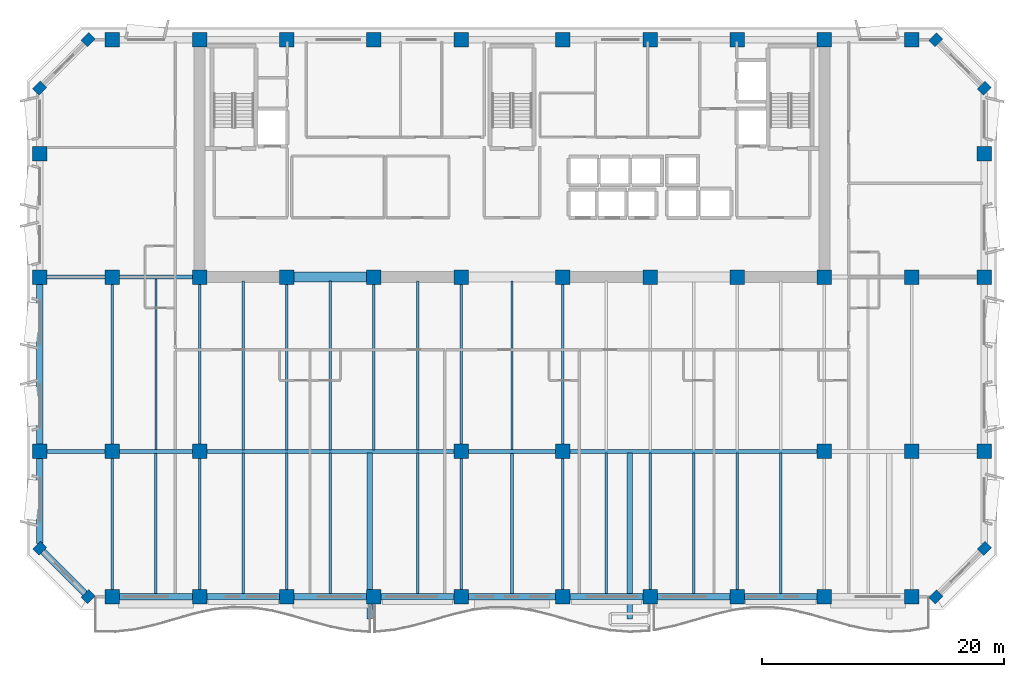
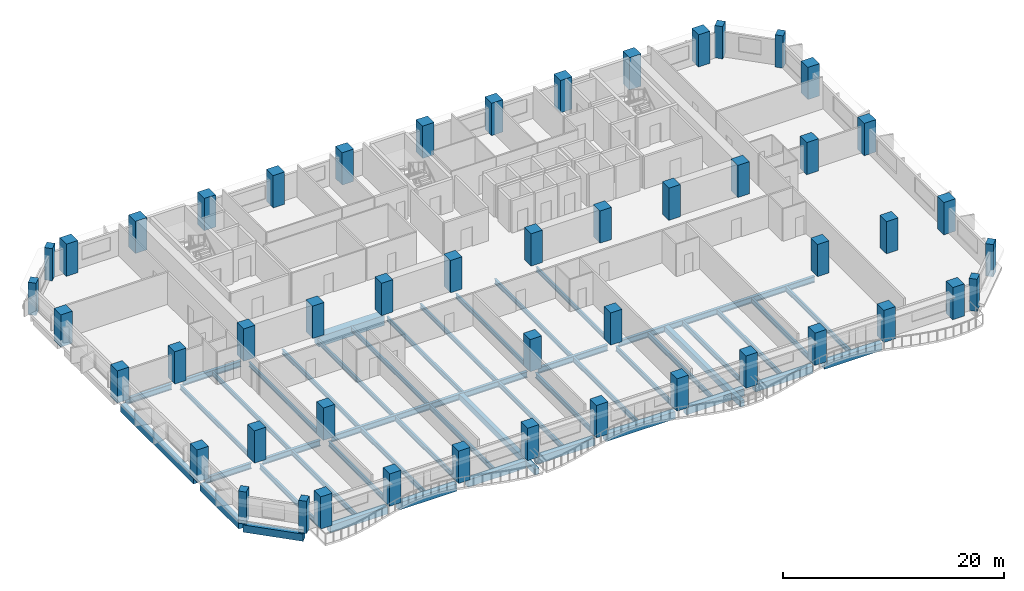
# One storey, part 1 of 14: 50 columns, 47 beams.
"""IFC4 building model written with IfcOpenShell, lengths in metres."""

from ifc_helpers import new_model, si_unit, direction, frame, origin, origin_2d, place, context, subcontext, project, spatial, rectangle, i_section, extrude, material, material_profile, profile_set, type_object, element, save


model = new_model("IFC4")

# Units and contexts
model_context = context("Model", 3, precision=1e-05, world=origin(), true_north=direction((0.0, 1.0)))
body_context = subcontext(model_context, "Body", "Model", "MODEL_VIEW")
ifc_project = project(units=[si_unit("LENGTHUNIT", "METRE"), si_unit("AREAUNIT", "SQUARE_METRE"), si_unit("VOLUMEUNIT", "CUBIC_METRE"), si_unit("PLANEANGLEUNIT", "RADIAN"), si_unit("MASSUNIT", "GRAM", prefix="KILO")], contexts=[model_context])

# Site, building, storey
site_placement = place(None, origin())
site = spatial("IfcSite", under=ifc_project, at=site_placement, CompositionType="ELEMENT")
building_placement = place(site_placement, origin())
building = spatial("IfcBuilding", under=site, at=building_placement, Name="Kaelvorn Grand Hotel", CompositionType="ELEMENT")
storey_placement = place(building_placement, frame((0.0, 0.0, 201.550048828125)))
storey = spatial("IfcBuildingStorey", under=building, at=storey_placement, Name="L49", CompositionType="ELEMENT", Elevation=201.550048828125)

# Columns
ifc_material_1 = material(Name="Concrete C60/75", Category="concrete")
ifc_material_profile_1 = material_profile(ifc_material_1, rectangle(XDim=0.89990234375, YDim=0.75, at=origin_2d()), Name="RC PILASTER 900x750")
ifc_profile_set_1 = profile_set([ifc_material_profile_1], Name="Concrete C60/75")
column_type_1 = type_object("IfcColumnType", Name="COL-PIL-900x750-C60", PredefinedType="PILASTER", material=ifc_profile_set_1)
for number, where, z_axis, x_axis, name in (
    (1, (7.0, 3.0, 0.0), (0.0, 0.0, 1.0), (0.707106781187, 0.707106781187, 0.0), "L49 Structural Column CH-01"),
    (2, (77.0, 3.0, 0.0), (0.0, 0.0, 1.0), (0.707106781187, 0.707106781187, 0.0), "L49 Structural Column CH-02"),
    (3, (81.0, 7.0, 0.0), (0.0, 0.0, 1.0), (0.707106781187, 0.707106781187, 0.0), "L49 Structural Column CH-03"),
    (4, (81.0, 45.0, 0.0), (0.0, 0.0, 1.0), (0.707106781187, 0.707106781187, 0.0), "L49 Structural Column CH-04"),
    (5, (77.0, 49.0, 0.0), (0.0, 0.0, 1.0), (0.707106781187, 0.707106781187, 0.0), "L49 Structural Column CH-05"),
    (6, (7.0, 49.0, 0.0), (0.0, 0.0, 1.0), (0.707106781187, 0.707106781187, 0.0), "L49 Structural Column CH-06"),
    (7, (3.0, 45.0, 0.0), (0.0, 0.0, 1.0), (0.707106781187, 0.707106781187, 0.0), "L49 Structural Column CH-07"),
    (8, (3.0, 7.0, 0.0), (0.0, 0.0, 1.0), (0.707106781187, 0.707106781187, 0.0), "L49 Structural Column CH-08"),
):
    element("IfcColumn", number, at=place(storey_placement, frame(where, z_axis=z_axis, x_axis=x_axis)), inside=storey, type_object=column_type_1, Name=name, PredefinedType="PILASTER", context=body_context, shape_type="SweptSolid", body=[
        extrude(rectangle(XDim=0.89990234375, YDim=0.75, at=origin_2d()), origin(), (0.0, 0.0, 1.0), 3.56005859375),
    ])
ifc_material_profile_2 = material_profile(ifc_material_1, rectangle(XDim=1.199951171875, YDim=1.199951171875, at=origin_2d()), Name="RC COL 1200x1200")
ifc_profile_set_2 = profile_set([ifc_material_profile_2], Name="Concrete C60/75")
column_type_2 = type_object("IfcColumnType", Name="COL-RC-1200-C60", PredefinedType="COLUMN", material=ifc_profile_set_2)
for number, where, z_axis, x_axis, name in (
    (9, (9.0, 3.0, 0.0), (0.0, 0.0, 1.0), (1.0, 0.0, 0.0), "L49 Structural Column S-01"),
    (10, (16.199951171875, 3.0, 0.0), (0.0, 0.0, 1.0), (1.0, 0.0, 0.0), "L49 Structural Column S-02"),
    (11, (23.39990234375, 3.0, 0.0), (0.0, 0.0, 1.0), (1.0, 0.0, 0.0), "L49 Structural Column S-03"),
    (12, (30.60009765625, 3.0, 0.0), (0.0, 0.0, 1.0), (1.0, 0.0, 0.0), "L49 Structural Column S-04"),
    (13, (37.800048828125, 3.0, 0.0), (0.0, 0.0, 1.0), (1.0, 0.0, 0.0), "L49 Structural Column S-05"),
    (14, (46.199951171875, 3.0, 0.0), (0.0, 0.0, 1.0), (1.0, 0.0, 0.0), "L49 Structural Column S-06"),
    (15, (53.39990234375, 3.0, 0.0), (0.0, 0.0, 1.0), (1.0, 0.0, 0.0), "L49 Structural Column S-07"),
    (16, (60.60009765625, 3.0, 0.0), (0.0, 0.0, 1.0), (1.0, 0.0, 0.0), "L49 Structural Column S-08"),
    (17, (67.800048828125, 3.0, 0.0), (0.0, 0.0, 1.0), (1.0, 0.0, 0.0), "L49 Structural Column S-09"),
    (18, (75.0, 3.0, 0.0), (0.0, 0.0, 1.0), (1.0, 0.0, 0.0), "L49 Structural Column S-10"),
    (19, (3.0, 15.0, 0.0), (0.0, 0.0, 1.0), (1.0, 0.0, 0.0), "L49 Structural Column W-01"),
    (20, (81.0, 15.0, 0.0), (0.0, 0.0, 1.0), (1.0, 0.0, 0.0), "L49 Structural Column E-01"),
    (21, (3.0, 29.39990234375, 0.0), (0.0, 0.0, 1.0), (1.0, 0.0, 0.0), "L49 Structural Column W-02"),
    (22, (81.0, 29.39990234375, 0.0), (0.0, 0.0, 1.0), (1.0, 0.0, 0.0), "L49 Structural Column E-02"),
    (23, (3.0, 39.60009765625, 0.0), (0.0, 0.0, 1.0), (1.0, 0.0, 0.0), "L49 Structural Column W-03"),
    (24, (81.0, 39.60009765625, 0.0), (0.0, 0.0, 1.0), (1.0, 0.0, 0.0), "L49 Structural Column E-03"),
    (25, (9.0, 15.0, 0.0), (0.0, 0.0, 1.0), (1.0, 0.0, 0.0), "L49 Structural Column M-01"),
    (26, (16.199951171875, 15.0, 0.0), (0.0, 0.0, 1.0), (1.0, 0.0, 0.0), "L49 Structural Column M-02"),
    (27, (37.800048828125, 15.0, 0.0), (0.0, 0.0, 1.0), (1.0, 0.0, 0.0), "L49 Structural Column M-03"),
    (28, (46.199951171875, 15.0, 0.0), (0.0, 0.0, 1.0), (1.0, 0.0, 0.0), "L49 Structural Column M-04"),
    (29, (67.800048828125, 15.0, 0.0), (0.0, 0.0, 1.0), (1.0, 0.0, 0.0), "L49 Structural Column M-05"),
    (30, (75.0, 15.0, 0.0), (0.0, 0.0, 1.0), (1.0, 0.0, 0.0), "L49 Structural Column M-06"),
    (31, (9.0, 29.39990234375, 0.0), (0.0, 0.0, 1.0), (1.0, 0.0, 0.0), "L49 Structural Column CR1-01"),
    (32, (9.0, 49.0, 0.0), (0.0, 0.0, 1.0), (1.0, 0.0, 0.0), "L49 Structural Column CR2-01"),
    (33, (16.199951171875, 29.39990234375, 0.0), (0.0, 0.0, 1.0), (1.0, 0.0, 0.0), "L49 Structural Column CR1-02"),
    (34, (16.199951171875, 49.0, 0.0), (0.0, 0.0, 1.0), (1.0, 0.0, 0.0), "L49 Structural Column CR2-02"),
    (35, (23.39990234375, 29.39990234375, 0.0), (0.0, 0.0, 1.0), (1.0, 0.0, 0.0), "L49 Structural Column CR1-03"),
    (36, (23.39990234375, 49.0, 0.0), (0.0, 0.0, 1.0), (1.0, 0.0, 0.0), "L49 Structural Column CR2-03"),
    (37, (30.60009765625, 29.39990234375, 0.0), (0.0, 0.0, 1.0), (1.0, 0.0, 0.0), "L49 Structural Column CR1-04"),
    (38, (30.60009765625, 49.0, 0.0), (0.0, 0.0, 1.0), (1.0, 0.0, 0.0), "L49 Structural Column CR2-04"),
    (39, (37.800048828125, 29.39990234375, 0.0), (0.0, 0.0, 1.0), (1.0, 0.0, 0.0), "L49 Structural Column CR1-05"),
    (40, (37.800048828125, 49.0, 0.0), (0.0, 0.0, 1.0), (1.0, 0.0, 0.0), "L49 Structural Column CR2-05"),
    (41, (46.199951171875, 29.39990234375, 0.0), (0.0, 0.0, 1.0), (1.0, 0.0, 0.0), "L49 Structural Column CR1-06"),
    (42, (46.199951171875, 49.0, 0.0), (0.0, 0.0, 1.0), (1.0, 0.0, 0.0), "L49 Structural Column CR2-06"),
    (43, (53.39990234375, 29.39990234375, 0.0), (0.0, 0.0, 1.0), (1.0, 0.0, 0.0), "L49 Structural Column CR1-07"),
    (44, (53.39990234375, 49.0, 0.0), (0.0, 0.0, 1.0), (1.0, 0.0, 0.0), "L49 Structural Column CR2-07"),
    (45, (60.60009765625, 29.39990234375, 0.0), (0.0, 0.0, 1.0), (1.0, 0.0, 0.0), "L49 Structural Column CR1-08"),
    (46, (60.60009765625, 49.0, 0.0), (0.0, 0.0, 1.0), (1.0, 0.0, 0.0), "L49 Structural Column CR2-08"),
    (47, (67.800048828125, 29.39990234375, 0.0), (0.0, 0.0, 1.0), (1.0, 0.0, 0.0), "L49 Structural Column CR1-09"),
    (48, (67.800048828125, 49.0, 0.0), (0.0, 0.0, 1.0), (1.0, 0.0, 0.0), "L49 Structural Column CR2-09"),
    (49, (75.0, 29.39990234375, 0.0), (0.0, 0.0, 1.0), (1.0, 0.0, 0.0), "L49 Structural Column CR1-10"),
    (50, (75.0, 49.0, 0.0), (0.0, 0.0, 1.0), (1.0, 0.0, 0.0), "L49 Structural Column CR2-10"),
):
    element("IfcColumn", number, at=place(storey_placement, frame(where, z_axis=z_axis, x_axis=x_axis)), inside=storey, type_object=column_type_2, Name=name, PredefinedType="COLUMN", context=body_context, shape_type="SweptSolid", body=[
        extrude(rectangle(XDim=1.199951171875, YDim=1.199951171875, at=origin_2d()), origin(), (0.0, 0.0, 1.0), 3.56005859375),
    ])

# Beams
ifc_material_2 = material(Name="Steel S355", Category="steel")
ifc_material_profile_3 = material_profile(ifc_material_2, i_section(OverallWidth=0.300048828125, OverallDepth=0.64990234375, WebThickness=0.01611328125, FlangeThickness=0.031005859375, FilletRadius=0.027099609375, at=origin_2d()), Name="HEB 650")
ifc_profile_set_3 = profile_set([ifc_material_profile_3], Name="Steel S355")
beam_type_1 = type_object("IfcBeamType", Name="BM-G-HEB650-S355", PredefinedType="BEAM", material=ifc_profile_set_3)
beam_1_placement = place(storey_placement, frame((3.5849609375, 15.0, -0.56494140625), z_axis=(1.0, 0.0, 0.0), x_axis=(0.0, 1.0, 0.0)))
element("IfcBeam", 51, at=beam_1_placement, inside=storey, type_object=beam_type_1, Name="L49 Primary Spine Steel Girder G-15 01", PredefinedType="BEAM", context=body_context, shape_type="SweptSolid", body=[
    extrude(i_section(OverallWidth=0.300048828125, OverallDepth=0.64990234375, WebThickness=0.01611328125, FlangeThickness=0.031005859375, FilletRadius=0.027099609375, at=origin_2d()), origin(), (0.0, 0.0, 1.0), 4.830078125),
])
beam_2_placement = place(storey_placement, frame((9.5849609375, 15.0, -0.56494140625), z_axis=(1.0, 0.0, 0.0), x_axis=(0.0, 1.0, 0.0)))
element("IfcBeam", 52, at=beam_2_placement, inside=storey, type_object=beam_type_1, Name="L49 Primary Spine Steel Girder G-15 02", PredefinedType="BEAM", context=body_context, shape_type="SweptSolid", body=[
    extrude(i_section(OverallWidth=0.300048828125, OverallDepth=0.64990234375, WebThickness=0.01611328125, FlangeThickness=0.031005859375, FilletRadius=0.027099609375, at=origin_2d()), origin(), (0.0, 0.0, 1.0), 6.030029296875),
])
beam_3_placement = place(storey_placement, frame((16.784912109375, 15.0, -0.56494140625), z_axis=(1.0, 0.0, 0.0), x_axis=(0.0, 1.0, 0.0)))
element("IfcBeam", 53, at=beam_3_placement, inside=storey, type_object=beam_type_1, Name="L49 Primary Spine Steel Girder G-15 03", PredefinedType="BEAM", context=body_context, shape_type="SweptSolid", body=[
    extrude(i_section(OverallWidth=0.300048828125, OverallDepth=0.64990234375, WebThickness=0.01611328125, FlangeThickness=0.031005859375, FilletRadius=0.027099609375, at=origin_2d()), origin(), (0.0, 0.0, 1.0), 20.43017578125),
])
beam_4_placement = place(storey_placement, frame((38.385009765625, 15.0, -0.56494140625), z_axis=(1.0, 0.0, 0.0), x_axis=(0.0, 1.0, 0.0)))
element("IfcBeam", 54, at=beam_4_placement, inside=storey, type_object=beam_type_1, Name="L49 Primary Spine Steel Girder G-15 04", PredefinedType="BEAM", context=body_context, shape_type="SweptSolid", body=[
    extrude(i_section(OverallWidth=0.300048828125, OverallDepth=0.64990234375, WebThickness=0.01611328125, FlangeThickness=0.031005859375, FilletRadius=0.027099609375, at=origin_2d()), origin(), (0.0, 0.0, 1.0), 7.22998046875),
])
beam_5_placement = place(storey_placement, frame((46.784912109375, 15.0, -0.56494140625), z_axis=(1.0, 0.0, 0.0), x_axis=(0.0, 1.0, 0.0)))
element("IfcBeam", 55, at=beam_5_placement, inside=storey, type_object=beam_type_1, Name="L49 Primary Spine Steel Girder G-15 05", PredefinedType="BEAM", context=body_context, shape_type="SweptSolid", body=[
    extrude(i_section(OverallWidth=0.300048828125, OverallDepth=0.64990234375, WebThickness=0.01611328125, FlangeThickness=0.031005859375, FilletRadius=0.027099609375, at=origin_2d()), origin(), (0.0, 0.0, 1.0), 20.43017578125),
])
beam_6_placement = place(storey_placement, frame((3.5849609375, 29.39990234375, -0.56494140625), z_axis=(1.0, 0.0, 0.0), x_axis=(0.0, 1.0, 0.0)))
element("IfcBeam", 56, at=beam_6_placement, inside=storey, type_object=beam_type_1, Name="L49 West Core Wing Steel Girder G-29W 01", PredefinedType="BEAM", context=body_context, shape_type="SweptSolid", body=[
    extrude(i_section(OverallWidth=0.300048828125, OverallDepth=0.64990234375, WebThickness=0.01611328125, FlangeThickness=0.031005859375, FilletRadius=0.027099609375, at=origin_2d()), origin(), (0.0, 0.0, 1.0), 4.830078125),
])
beam_7_placement = place(storey_placement, frame((9.5849609375, 29.39990234375, -0.56494140625), z_axis=(1.0, 0.0, 0.0), x_axis=(0.0, 1.0, 0.0)))
element("IfcBeam", 57, at=beam_7_placement, inside=storey, type_object=beam_type_1, Name="L49 West Core Wing Steel Girder G-29W 02", PredefinedType="BEAM", context=body_context, shape_type="SweptSolid", body=[
    extrude(i_section(OverallWidth=0.300048828125, OverallDepth=0.64990234375, WebThickness=0.01611328125, FlangeThickness=0.031005859375, FilletRadius=0.027099609375, at=origin_2d()), origin(), (0.0, 0.0, 1.0), 6.030029296875),
])
ifc_material_profile_4 = material_profile(ifc_material_2, i_section(OverallWidth=0.199951171875, OverallDepth=0.5, WebThickness=0.01025390625, FlangeThickness=0.01611328125, FilletRadius=0.02099609375, at=origin_2d()), Name="IPE 500")
ifc_profile_set_4 = profile_set([ifc_material_profile_4], Name="Steel S355")
beam_type_2 = type_object("IfcBeamType", Name="BM-J-IPE500-S355", PredefinedType="JOIST", material=ifc_profile_set_4)
beam_8_placement = place(storey_placement, frame((9.0, 15.5849609375, -0.489990234375), z_axis=(0.0, 1.0, 0.0), x_axis=(-1.0, 0.0, 0.0)))
element("IfcBeam", 58, at=beam_8_placement, inside=storey, type_object=beam_type_2, Name="L49 Composite Floor Joist JM-03", PredefinedType="JOIST", context=body_context, shape_type="SweptSolid", body=[
    extrude(i_section(OverallWidth=0.199951171875, OverallDepth=0.5, WebThickness=0.01025390625, FlangeThickness=0.01611328125, FilletRadius=0.02099609375, at=origin_2d()), origin(), (0.0, 0.0, 1.0), 13.22998046875),
])
beam_9_placement = place(storey_placement, frame((12.60009765625, 15.135009765625, -0.489990234375), z_axis=(0.0, 1.0, 0.0), x_axis=(-1.0, 0.0, 0.0)))
element("IfcBeam", 59, at=beam_9_placement, inside=storey, type_object=beam_type_2, Name="L49 Composite Floor Joist JM-04", PredefinedType="JOIST", context=body_context, shape_type="SweptSolid", body=[
    extrude(i_section(OverallWidth=0.199951171875, OverallDepth=0.5, WebThickness=0.01025390625, FlangeThickness=0.01611328125, FilletRadius=0.02099609375, at=origin_2d()), origin(), (0.0, 0.0, 1.0), 14.1298828125),
])
beam_10_placement = place(storey_placement, frame((16.199951171875, 15.5849609375, -0.489990234375), z_axis=(0.0, 1.0, 0.0), x_axis=(-1.0, 0.0, 0.0)))
element("IfcBeam", 60, at=beam_10_placement, inside=storey, type_object=beam_type_2, Name="L49 Composite Floor Joist JM-05", PredefinedType="JOIST", context=body_context, shape_type="SweptSolid", body=[
    extrude(i_section(OverallWidth=0.199951171875, OverallDepth=0.5, WebThickness=0.01025390625, FlangeThickness=0.01611328125, FilletRadius=0.02099609375, at=origin_2d()), origin(), (0.0, 0.0, 1.0), 13.22998046875),
])
beam_11_placement = place(storey_placement, frame((19.800048828125, 15.135009765625, -0.489990234375), z_axis=(0.0, 1.0, 0.0), x_axis=(-1.0, 0.0, 0.0)))
element("IfcBeam", 61, at=beam_11_placement, inside=storey, type_object=beam_type_2, Name="L49 Composite Floor Joist JM-06", PredefinedType="JOIST", context=body_context, shape_type="SweptSolid", body=[
    extrude(i_section(OverallWidth=0.199951171875, OverallDepth=0.5, WebThickness=0.01025390625, FlangeThickness=0.01611328125, FilletRadius=0.02099609375, at=origin_2d()), origin(), (0.0, 0.0, 1.0), 13.925048828125),
])
beam_12_placement = place(storey_placement, frame((23.39990234375, 15.135009765625, -0.489990234375), z_axis=(0.0, 1.0, 0.0), x_axis=(-1.0, 0.0, 0.0)))
element("IfcBeam", 62, at=beam_12_placement, inside=storey, type_object=beam_type_2, Name="L49 Composite Floor Joist JM-07", PredefinedType="JOIST", context=body_context, shape_type="SweptSolid", body=[
    extrude(i_section(OverallWidth=0.199951171875, OverallDepth=0.5, WebThickness=0.01025390625, FlangeThickness=0.01611328125, FilletRadius=0.02099609375, at=origin_2d()), origin(), (0.0, 0.0, 1.0), 13.679931640625),
])
beam_13_placement = place(storey_placement, frame((27.0, 15.135009765625, -0.489990234375), z_axis=(0.0, 1.0, 0.0), x_axis=(-1.0, 0.0, 0.0)))
element("IfcBeam", 63, at=beam_13_placement, inside=storey, type_object=beam_type_2, Name="L49 Composite Floor Joist JM-08", PredefinedType="JOIST", context=body_context, shape_type="SweptSolid", body=[
    extrude(i_section(OverallWidth=0.199951171875, OverallDepth=0.5, WebThickness=0.01025390625, FlangeThickness=0.01611328125, FilletRadius=0.02099609375, at=origin_2d()), origin(), (0.0, 0.0, 1.0), 13.925048828125),
])
beam_14_placement = place(storey_placement, frame((30.60009765625, 15.135009765625, -0.489990234375), z_axis=(0.0, 1.0, 0.0), x_axis=(-1.0, 0.0, 0.0)))
element("IfcBeam", 64, at=beam_14_placement, inside=storey, type_object=beam_type_2, Name="L49 Composite Floor Joist JM-09", PredefinedType="JOIST", context=body_context, shape_type="SweptSolid", body=[
    extrude(i_section(OverallWidth=0.199951171875, OverallDepth=0.5, WebThickness=0.01025390625, FlangeThickness=0.01611328125, FilletRadius=0.02099609375, at=origin_2d()), origin(), (0.0, 0.0, 1.0), 13.679931640625),
])
beam_15_placement = place(storey_placement, frame((34.199951171875, 15.135009765625, -0.489990234375), z_axis=(0.0, 1.0, 0.0), x_axis=(-1.0, 0.0, 0.0)))
element("IfcBeam", 65, at=beam_15_placement, inside=storey, type_object=beam_type_2, Name="L49 Composite Floor Joist JM-10", PredefinedType="JOIST", context=body_context, shape_type="SweptSolid", body=[
    extrude(i_section(OverallWidth=0.199951171875, OverallDepth=0.5, WebThickness=0.01025390625, FlangeThickness=0.01611328125, FilletRadius=0.02099609375, at=origin_2d()), origin(), (0.0, 0.0, 1.0), 13.925048828125),
])
beam_16_placement = place(storey_placement, frame((37.800048828125, 15.5849609375, -0.489990234375), z_axis=(0.0, 1.0, 0.0), x_axis=(-1.0, 0.0, 0.0)))
element("IfcBeam", 66, at=beam_16_placement, inside=storey, type_object=beam_type_2, Name="L49 Composite Floor Joist JM-11", PredefinedType="JOIST", context=body_context, shape_type="SweptSolid", body=[
    extrude(i_section(OverallWidth=0.199951171875, OverallDepth=0.5, WebThickness=0.01025390625, FlangeThickness=0.01611328125, FilletRadius=0.02099609375, at=origin_2d()), origin(), (0.0, 0.0, 1.0), 13.22998046875),
])
beam_17_placement = place(storey_placement, frame((42.0, 15.135009765625, -0.489990234375), z_axis=(0.0, 1.0, 0.0), x_axis=(-1.0, 0.0, 0.0)))
element("IfcBeam", 67, at=beam_17_placement, inside=storey, type_object=beam_type_2, Name="L49 Composite Floor Joist JM-12", PredefinedType="JOIST", context=body_context, shape_type="SweptSolid", body=[
    extrude(i_section(OverallWidth=0.199951171875, OverallDepth=0.5, WebThickness=0.01025390625, FlangeThickness=0.01611328125, FilletRadius=0.02099609375, at=origin_2d()), origin(), (0.0, 0.0, 1.0), 13.925048828125),
])
beam_18_placement = place(storey_placement, frame((46.199951171875, 15.5849609375, -0.489990234375), z_axis=(0.0, 1.0, 0.0), x_axis=(-1.0, 0.0, 0.0)))
element("IfcBeam", 68, at=beam_18_placement, inside=storey, type_object=beam_type_2, Name="L49 Composite Floor Joist JM-13", PredefinedType="JOIST", context=body_context, shape_type="SweptSolid", body=[
    extrude(i_section(OverallWidth=0.199951171875, OverallDepth=0.5, WebThickness=0.01025390625, FlangeThickness=0.01611328125, FilletRadius=0.02099609375, at=origin_2d()), origin(), (0.0, 0.0, 1.0), 13.22998046875),
])
ifc_material_profile_5 = material_profile(ifc_material_2, i_section(OverallWidth=0.2099609375, OverallDepth=0.550048828125, WebThickness=0.010986328125, FlangeThickness=0.01708984375, FilletRadius=0.02392578125, at=origin_2d()), Name="IPE 550")
ifc_profile_set_5 = profile_set([ifc_material_profile_5], Name="Steel S355")
beam_type_3 = type_object("IfcBeamType", Name="BM-J-IPE550-S355", PredefinedType="JOIST", material=ifc_profile_set_5)
beam_19_placement = place(storey_placement, frame((9.0, 3.5849609375, -0.51513671875), z_axis=(0.0, 1.0, 0.0), x_axis=(-1.0, 0.0, 0.0)))
element("IfcBeam", 69, at=beam_19_placement, inside=storey, type_object=beam_type_3, Name="L49 Composite Floor Joist JS-03", PredefinedType="JOIST", context=body_context, shape_type="SweptSolid", body=[
    extrude(i_section(OverallWidth=0.2099609375, OverallDepth=0.550048828125, WebThickness=0.010986328125, FlangeThickness=0.01708984375, FilletRadius=0.02392578125, at=origin_2d()), origin(), (0.0, 0.0, 1.0), 10.830078125),
])
beam_20_placement = place(storey_placement, frame((12.60009765625, 3.260009765625, -0.51513671875), z_axis=(0.0, 1.0, 0.0), x_axis=(-1.0, 0.0, 0.0)))
element("IfcBeam", 70, at=beam_20_placement, inside=storey, type_object=beam_type_3, Name="L49 Composite Floor Joist JS-04", PredefinedType="JOIST", context=body_context, shape_type="SweptSolid", body=[
    extrude(i_section(OverallWidth=0.2099609375, OverallDepth=0.550048828125, WebThickness=0.010986328125, FlangeThickness=0.01708984375, FilletRadius=0.02392578125, at=origin_2d()), origin(), (0.0, 0.0, 1.0), 11.60498046875),
])
beam_21_placement = place(storey_placement, frame((16.199951171875, 3.5849609375, -0.51513671875), z_axis=(0.0, 1.0, 0.0), x_axis=(-1.0, 0.0, 0.0)))
element("IfcBeam", 71, at=beam_21_placement, inside=storey, type_object=beam_type_3, Name="L49 Composite Floor Joist JS-05", PredefinedType="JOIST", context=body_context, shape_type="SweptSolid", body=[
    extrude(i_section(OverallWidth=0.2099609375, OverallDepth=0.550048828125, WebThickness=0.010986328125, FlangeThickness=0.01708984375, FilletRadius=0.02392578125, at=origin_2d()), origin(), (0.0, 0.0, 1.0), 10.830078125),
])
beam_22_placement = place(storey_placement, frame((19.800048828125, 3.260009765625, -0.51513671875), z_axis=(0.0, 1.0, 0.0), x_axis=(-1.0, 0.0, 0.0)))
element("IfcBeam", 72, at=beam_22_placement, inside=storey, type_object=beam_type_3, Name="L49 Composite Floor Joist JS-06", PredefinedType="JOIST", context=body_context, shape_type="SweptSolid", body=[
    extrude(i_section(OverallWidth=0.2099609375, OverallDepth=0.550048828125, WebThickness=0.010986328125, FlangeThickness=0.01708984375, FilletRadius=0.02392578125, at=origin_2d()), origin(), (0.0, 0.0, 1.0), 11.60498046875),
])
beam_23_placement = place(storey_placement, frame((23.39990234375, 3.5849609375, -0.51513671875), z_axis=(0.0, 1.0, 0.0), x_axis=(-1.0, 0.0, 0.0)))
element("IfcBeam", 73, at=beam_23_placement, inside=storey, type_object=beam_type_3, Name="L49 Composite Floor Joist JS-07", PredefinedType="JOIST", context=body_context, shape_type="SweptSolid", body=[
    extrude(i_section(OverallWidth=0.2099609375, OverallDepth=0.550048828125, WebThickness=0.010986328125, FlangeThickness=0.01708984375, FilletRadius=0.02392578125, at=origin_2d()), origin(), (0.0, 0.0, 1.0), 11.280029296875),
])
for number, where, z_axis, x_axis, name in (
    (74, (27.0, 3.260009765625, -0.51513671875), (0.0, 1.0, 0.0), (-1.0, 0.0, 0.0), "L49 Composite Floor Joist JS-08"),
    (75, (34.199951171875, 3.260009765625, -0.51513671875), (0.0, 1.0, 0.0), (-1.0, 0.0, 0.0), "L49 Composite Floor Joist JS-10"),
):
    element("IfcBeam", number, at=place(storey_placement, frame(where, z_axis=z_axis, x_axis=x_axis)), inside=storey, type_object=beam_type_3, Name=name, PredefinedType="JOIST", context=body_context, shape_type="SweptSolid", body=[
        extrude(i_section(OverallWidth=0.2099609375, OverallDepth=0.550048828125, WebThickness=0.010986328125, FlangeThickness=0.01708984375, FilletRadius=0.02392578125, at=origin_2d()), origin(), (0.0, 0.0, 1.0), 11.60498046875),
    ])
beam_24_placement = place(storey_placement, frame((37.800048828125, 3.5849609375, -0.51513671875), z_axis=(0.0, 1.0, 0.0), x_axis=(-1.0, 0.0, 0.0)))
element("IfcBeam", 76, at=beam_24_placement, inside=storey, type_object=beam_type_3, Name="L49 Composite Floor Joist JS-11", PredefinedType="JOIST", context=body_context, shape_type="SweptSolid", body=[
    extrude(i_section(OverallWidth=0.2099609375, OverallDepth=0.550048828125, WebThickness=0.010986328125, FlangeThickness=0.01708984375, FilletRadius=0.02392578125, at=origin_2d()), origin(), (0.0, 0.0, 1.0), 10.830078125),
])
beam_25_placement = place(storey_placement, frame((42.0, 3.260009765625, -0.51513671875), z_axis=(0.0, 1.0, 0.0), x_axis=(-1.0, 0.0, 0.0)))
element("IfcBeam", 77, at=beam_25_placement, inside=storey, type_object=beam_type_3, Name="L49 Composite Floor Joist JS-12", PredefinedType="JOIST", context=body_context, shape_type="SweptSolid", body=[
    extrude(i_section(OverallWidth=0.2099609375, OverallDepth=0.550048828125, WebThickness=0.010986328125, FlangeThickness=0.01708984375, FilletRadius=0.02392578125, at=origin_2d()), origin(), (0.0, 0.0, 1.0), 11.60498046875),
])
beam_26_placement = place(storey_placement, frame((46.199951171875, 3.5849609375, -0.51513671875), z_axis=(0.0, 1.0, 0.0), x_axis=(-1.0, 0.0, 0.0)))
element("IfcBeam", 78, at=beam_26_placement, inside=storey, type_object=beam_type_3, Name="L49 Composite Floor Joist JS-13", PredefinedType="JOIST", context=body_context, shape_type="SweptSolid", body=[
    extrude(i_section(OverallWidth=0.2099609375, OverallDepth=0.550048828125, WebThickness=0.010986328125, FlangeThickness=0.01708984375, FilletRadius=0.02392578125, at=origin_2d()), origin(), (0.0, 0.0, 1.0), 10.830078125),
])
beam_27_placement = place(storey_placement, frame((49.800048828125, 3.260009765625, -0.51513671875), z_axis=(0.0, 1.0, 0.0), x_axis=(-1.0, 0.0, 0.0)))
element("IfcBeam", 79, at=beam_27_placement, inside=storey, type_object=beam_type_3, Name="L49 Composite Floor Joist JS-14", PredefinedType="JOIST", context=body_context, shape_type="SweptSolid", body=[
    extrude(i_section(OverallWidth=0.2099609375, OverallDepth=0.550048828125, WebThickness=0.010986328125, FlangeThickness=0.01708984375, FilletRadius=0.02392578125, at=origin_2d()), origin(), (0.0, 0.0, 1.0), 11.60498046875),
])
beam_28_placement = place(storey_placement, frame((53.39990234375, 3.5849609375, -0.51513671875), z_axis=(0.0, 1.0, 0.0), x_axis=(-1.0, 0.0, 0.0)))
element("IfcBeam", 80, at=beam_28_placement, inside=storey, type_object=beam_type_3, Name="L49 Composite Floor Joist JS-15", PredefinedType="JOIST", context=body_context, shape_type="SweptSolid", body=[
    extrude(i_section(OverallWidth=0.2099609375, OverallDepth=0.550048828125, WebThickness=0.010986328125, FlangeThickness=0.01708984375, FilletRadius=0.02392578125, at=origin_2d()), origin(), (0.0, 0.0, 1.0), 11.280029296875),
])
beam_29_placement = place(storey_placement, frame((57.0, 3.260009765625, -0.51513671875), z_axis=(0.0, 1.0, 0.0), x_axis=(-1.0, 0.0, 0.0)))
element("IfcBeam", 81, at=beam_29_placement, inside=storey, type_object=beam_type_3, Name="L49 Composite Floor Joist JS-16", PredefinedType="JOIST", context=body_context, shape_type="SweptSolid", body=[
    extrude(i_section(OverallWidth=0.2099609375, OverallDepth=0.550048828125, WebThickness=0.010986328125, FlangeThickness=0.01708984375, FilletRadius=0.02392578125, at=origin_2d()), origin(), (0.0, 0.0, 1.0), 11.60498046875),
])
beam_30_placement = place(storey_placement, frame((60.60009765625, 3.5849609375, -0.51513671875), z_axis=(0.0, 1.0, 0.0), x_axis=(-1.0, 0.0, 0.0)))
element("IfcBeam", 82, at=beam_30_placement, inside=storey, type_object=beam_type_3, Name="L49 Composite Floor Joist JS-17", PredefinedType="JOIST", context=body_context, shape_type="SweptSolid", body=[
    extrude(i_section(OverallWidth=0.2099609375, OverallDepth=0.550048828125, WebThickness=0.010986328125, FlangeThickness=0.01708984375, FilletRadius=0.02392578125, at=origin_2d()), origin(), (0.0, 0.0, 1.0), 11.280029296875),
])
beam_31_placement = place(storey_placement, frame((64.199951171875, 3.260009765625, -0.51513671875), z_axis=(0.0, 1.0, 0.0), x_axis=(-1.0, 0.0, 0.0)))
element("IfcBeam", 83, at=beam_31_placement, inside=storey, type_object=beam_type_3, Name="L49 Composite Floor Joist JS-18", PredefinedType="JOIST", context=body_context, shape_type="SweptSolid", body=[
    extrude(i_section(OverallWidth=0.2099609375, OverallDepth=0.550048828125, WebThickness=0.010986328125, FlangeThickness=0.01708984375, FilletRadius=0.02392578125, at=origin_2d()), origin(), (0.0, 0.0, 1.0), 11.60498046875),
])
ifc_material_profile_6 = material_profile(ifc_material_1, rectangle(XDim=0.800048828125, YDim=1.10009765625, at=origin_2d()), Name="RC LINTEL 800x1100")
ifc_profile_set_6 = profile_set([ifc_material_profile_6], Name="Concrete C60/75")
beam_type_4 = type_object("IfcBeamType", Name="BM-LIN-800x1100-C60", PredefinedType="LINTEL", material=ifc_profile_set_6)
beam_32_placement = place(storey_placement, frame((23.580078125, 29.39990234375, -0.7900390625), z_axis=(1.0, 0.0, 0.0), x_axis=(0.0, 1.0, 0.0)))
element("IfcBeam", 84, at=beam_32_placement, inside=storey, type_object=beam_type_4, Name="L49 Rear-Core Coupling Lintel Beam CB1-01", PredefinedType="LINTEL", context=body_context, shape_type="SweptSolid", body=[
    extrude(rectangle(XDim=0.800048828125, YDim=1.10009765625, at=origin_2d()), origin(), (0.0, 0.0, 1.0), 6.83984375),
])
ifc_material_3 = material(Name="Concrete C40/50", Category="concrete")
ifc_material_profile_7 = material_profile(ifc_material_3, rectangle(XDim=0.449951171875, YDim=0.64990234375, at=origin_2d()), Name="RC RIB 450x650")
ifc_profile_set_7 = profile_set([ifc_material_profile_7], Name="Concrete C40/50")
beam_type_5 = type_object("IfcBeamType", Name="BM-RIB-450x650-C40", PredefinedType="SPANDREL", material=ifc_profile_set_7)
for number, where, z_axis, x_axis, name in (
    (85, (30.2666015625, 1.14990234375, -0.545166015625), (0.0, 1.0, 0.0), (-1.0, 0.0, 0.0), "L49 Cantilevered Balcony Back-Span Rib RB1-1"),
    (86, (51.71435546875, 1.14990234375, -0.545166015625), (0.0, 1.0, 0.0), (-1.0, 0.0, 0.0), "L49 Cantilevered Balcony Back-Span Rib RB1-2"),
):
    element("IfcBeam", number, at=place(storey_placement, frame(where, z_axis=z_axis, x_axis=x_axis)), inside=storey, type_object=beam_type_5, Name=name, PredefinedType="SPANDREL", context=body_context, shape_type="SweptSolid", body=[
        extrude(rectangle(XDim=0.449951171875, YDim=0.64990234375, at=origin_2d()), origin(), (0.0, 0.0, 1.0), 13.715087890625),
    ])
ifc_material_4 = material(Name="Concrete C50/60", Category="concrete")
ifc_material_profile_8 = material_profile(ifc_material_4, rectangle(XDim=0.550048828125, YDim=0.800048828125, at=origin_2d()), Name="RC SPANDREL 550x800")
ifc_profile_set_8 = profile_set([ifc_material_profile_8], Name="Concrete C50/60")
beam_type_6 = type_object("IfcBeamType", Name="BM-SP-550x800-C50", PredefinedType="SPANDREL", material=ifc_profile_set_8)
for number, where, z_axis, x_axis, name in (
    (87, (9.5849609375, 3.0, -0.64013671875), (1.0, 0.0, 0.0), (0.0, 1.0, 0.0), "L49 South Perimeter Spandrel 02"),
    (88, (16.784912109375, 3.0, -0.64013671875), (1.0, 0.0, 0.0), (0.0, 1.0, 0.0), "L49 South Perimeter Spandrel 03"),
):
    element("IfcBeam", number, at=place(storey_placement, frame(where, z_axis=z_axis, x_axis=x_axis)), inside=storey, type_object=beam_type_6, Name=name, PredefinedType="SPANDREL", context=body_context, shape_type="SweptSolid", body=[
        extrude(rectangle(XDim=0.550048828125, YDim=0.800048828125, at=origin_2d()), origin(), (0.0, 0.0, 1.0), 6.030029296875),
    ])
beam_33_placement = place(storey_placement, frame((23.985107421875, 3.0, -0.64013671875), z_axis=(1.0, 0.0, 0.0), x_axis=(0.0, 1.0, 0.0)))
element("IfcBeam", 89, at=beam_33_placement, inside=storey, type_object=beam_type_6, Name="L49 South Perimeter Spandrel 04", PredefinedType="SPANDREL", context=body_context, shape_type="SweptSolid", body=[
    extrude(rectangle(XDim=0.550048828125, YDim=0.800048828125, at=origin_2d()), origin(), (0.0, 0.0, 1.0), 6.02978515625),
])
beam_34_placement = place(storey_placement, frame((31.18505859375, 3.0, -0.64013671875), z_axis=(1.0, 0.0, 0.0), x_axis=(0.0, 1.0, 0.0)))
element("IfcBeam", 90, at=beam_34_placement, inside=storey, type_object=beam_type_6, Name="L49 South Perimeter Spandrel 05", PredefinedType="SPANDREL", context=body_context, shape_type="SweptSolid", body=[
    extrude(rectangle(XDim=0.550048828125, YDim=0.800048828125, at=origin_2d()), origin(), (0.0, 0.0, 1.0), 6.030029296875),
])
beam_35_placement = place(storey_placement, frame((38.385009765625, 3.0, -0.64013671875), z_axis=(1.0, 0.0, 0.0), x_axis=(0.0, 1.0, 0.0)))
element("IfcBeam", 91, at=beam_35_placement, inside=storey, type_object=beam_type_6, Name="L49 South Perimeter Spandrel 06", PredefinedType="SPANDREL", context=body_context, shape_type="SweptSolid", body=[
    extrude(rectangle(XDim=0.550048828125, YDim=0.800048828125, at=origin_2d()), origin(), (0.0, 0.0, 1.0), 7.22998046875),
])
beam_36_placement = place(storey_placement, frame((46.784912109375, 3.0, -0.64013671875), z_axis=(1.0, 0.0, 0.0), x_axis=(0.0, 1.0, 0.0)))
element("IfcBeam", 92, at=beam_36_placement, inside=storey, type_object=beam_type_6, Name="L49 South Perimeter Spandrel 07", PredefinedType="SPANDREL", context=body_context, shape_type="SweptSolid", body=[
    extrude(rectangle(XDim=0.550048828125, YDim=0.800048828125, at=origin_2d()), origin(), (0.0, 0.0, 1.0), 6.030029296875),
])
beam_37_placement = place(storey_placement, frame((53.985107421875, 3.0, -0.64013671875), z_axis=(1.0, 0.0, 0.0), x_axis=(0.0, 1.0, 0.0)))
element("IfcBeam", 93, at=beam_37_placement, inside=storey, type_object=beam_type_6, Name="L49 South Perimeter Spandrel 08", PredefinedType="SPANDREL", context=body_context, shape_type="SweptSolid", body=[
    extrude(rectangle(XDim=0.550048828125, YDim=0.800048828125, at=origin_2d()), origin(), (0.0, 0.0, 1.0), 6.02978515625),
])
beam_38_placement = place(storey_placement, frame((61.18505859375, 3.0, -0.64013671875), z_axis=(1.0, 0.0, 0.0), x_axis=(0.0, 1.0, 0.0)))
element("IfcBeam", 94, at=beam_38_placement, inside=storey, type_object=beam_type_6, Name="L49 South Perimeter Spandrel 09", PredefinedType="SPANDREL", context=body_context, shape_type="SweptSolid", body=[
    extrude(rectangle(XDim=0.550048828125, YDim=0.800048828125, at=origin_2d()), origin(), (0.0, 0.0, 1.0), 6.030029296875),
])
beam_39_placement = place(storey_placement, frame((3.0, 7.405029296875, -0.64013671875), z_axis=(0.0, 1.0, 0.0), x_axis=(-1.0, 0.0, 0.0)))
element("IfcBeam", 95, at=beam_39_placement, inside=storey, type_object=beam_type_6, Name="L49 West Perimeter Spandrel 01", PredefinedType="SPANDREL", context=body_context, shape_type="SweptSolid", body=[
    extrude(rectangle(XDim=0.550048828125, YDim=0.800048828125, at=origin_2d()), origin(), (0.0, 0.0, 1.0), 7.010009765625),
])
beam_40_placement = place(storey_placement, frame((3.0, 15.5849609375, -0.64013671875), z_axis=(0.0, 1.0, 0.0), x_axis=(-1.0, 0.0, 0.0)))
element("IfcBeam", 96, at=beam_40_placement, inside=storey, type_object=beam_type_6, Name="L49 West Perimeter Spandrel 02", PredefinedType="SPANDREL", context=body_context, shape_type="SweptSolid", body=[
    extrude(rectangle(XDim=0.550048828125, YDim=0.800048828125, at=origin_2d()), origin(), (0.0, 0.0, 1.0), 13.22998046875),
])
beam_41_placement = place(storey_placement, frame((3.0, 7.0, -0.64013671875), z_axis=(0.707106781187, -0.707106781187, 0.0), x_axis=(0.707106781187, 0.707106781187, 0.0)))
element("IfcBeam", 97, at=beam_41_placement, inside=storey, type_object=beam_type_6, Name="L49 Chamfer Spandrel Beam 4", PredefinedType="SPANDREL", context=body_context, shape_type="SweptSolid", body=[
    extrude(rectangle(XDim=0.550048828125, YDim=0.800048828125, at=origin_2d()), origin(), (0.0, 0.0, 1.0), 5.65673828125),
])

save(model, "model.ifc")
